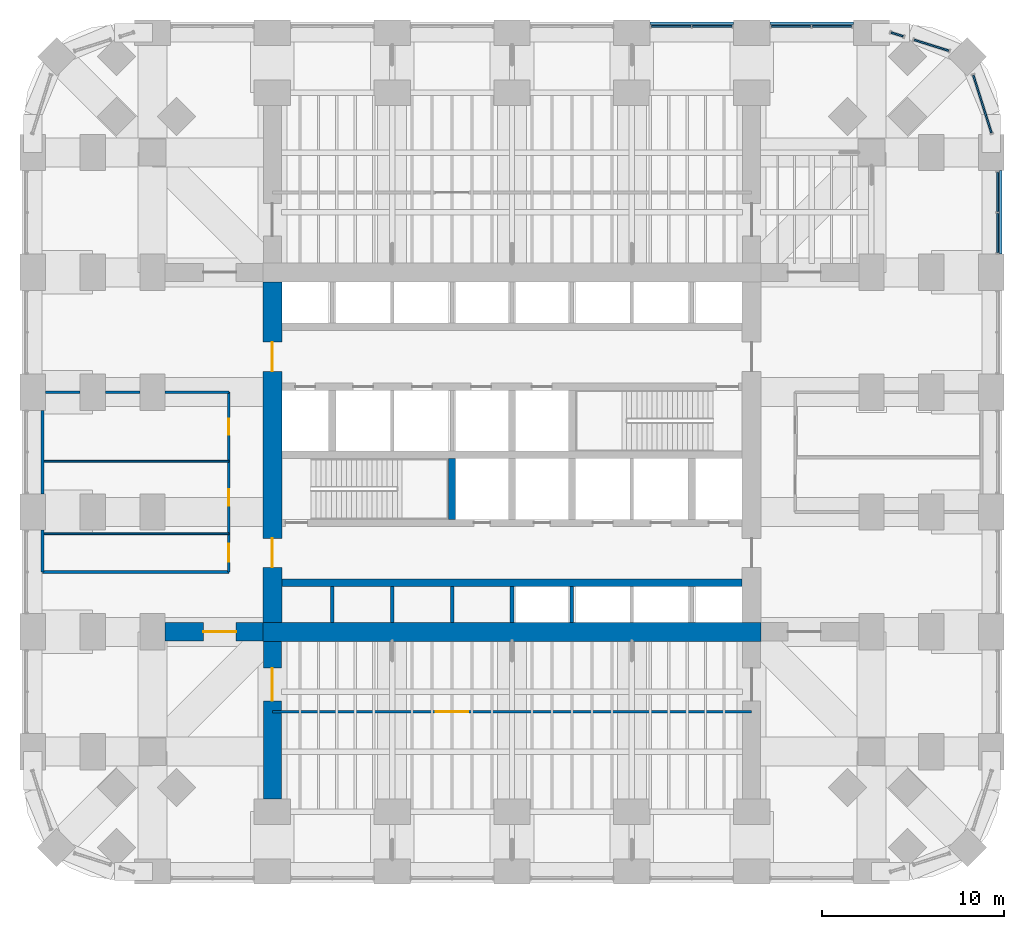
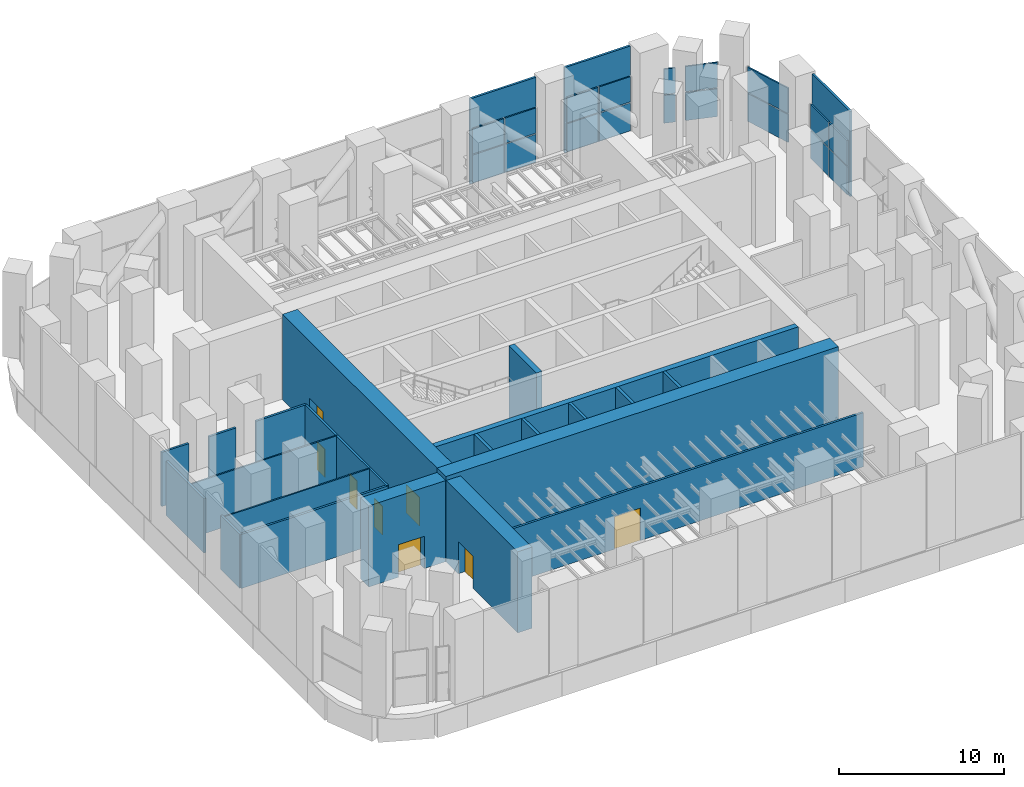
# One storey, part 13 of 17: 21 plates, 21 walls, 8 doors, 8 openings, 6 elements without a shape of their own.
"""IFC4 building model written with IfcOpenShell, lengths in metres."""

from ifc_helpers import new_model, si_unit, direction, frame, frame_2d, origin, origin_2d, place, context, subcontext, project, spatial, rectangle, extrude, material, layer, layer_set, type_object, element, fill, aggregate, save


model = new_model("IFC4")

# Units and contexts
model_context = context("Model", 3, precision=1e-05, world=origin(), true_north=direction((0.0, 1.0)))
body_context = subcontext(model_context, "Body", "Model", "MODEL_VIEW")
ifc_project = project(units=[si_unit("LENGTHUNIT", "METRE"), si_unit("AREAUNIT", "SQUARE_METRE"), si_unit("VOLUMEUNIT", "CUBIC_METRE"), si_unit("PLANEANGLEUNIT", "RADIAN"), si_unit("MASSUNIT", "GRAM", prefix="KILO")], contexts=[model_context])

# Site, building, storey
site_placement = place(None, origin())
site = spatial("IfcSite", under=ifc_project, at=site_placement, CompositionType="ELEMENT")
building_placement = place(site_placement, origin())
building = spatial("IfcBuilding", under=site, at=building_placement, Name="Cobogo Forest Laboratory Tower", CompositionType="ELEMENT")
storey_placement = place(building_placement, frame((0.0, 0.0, 75.89990234375)))
storey = spatial("IfcBuildingStorey", under=building, at=storey_placement, Name="L17", CompositionType="ELEMENT", Elevation=75.89990234375)

# Plates
ifc_material_1 = material(Name="Pierced concrete block", Category="concrete")
ifc_layer_1 = layer(ifc_material_1, 0.14990234375)
ifc_layer_set_1 = layer_set([ifc_layer_1], Name="CO2 cobogo block screen 150")
plate_type_1 = type_object("IfcPlateType", Name="CO2 cobogo block screen 150", PredefinedType="USERDEFINED", material=ifc_layer_set_1)
for number, where, z_axis, x_axis, name in (
    (1, (53.324951171875, 36.300048828125, -0.14990234375), (0.0, 0.0, 1.0), (0.0, 1.0, 0.0), "Cobogo screen E5 L17"),
    (2, (36.300048828125, 46.72509765625, -0.14990234375), (0.0, 0.0, 1.0), (1.0, 0.0, 0.0), "Cobogo screen N5 L17"),
    (3, (42.89990234375, 46.72509765625, -0.14990234375), (0.0, 0.0, 1.0), (1.0, 0.0, 0.0), "Cobogo screen N6 L17"),
):
    element("IfcPlate", number, at=place(storey_placement, frame(where, z_axis=z_axis, x_axis=x_axis)), inside=storey, type_object=plate_type_1, Name=name, ObjectType="COBOGO SCREEN", PredefinedType="USERDEFINED", context=body_context, shape_type="SweptSolid", body=[
        extrude(rectangle(XDim=4.60009765625, YDim=0.14990234375, at=origin_2d()), origin(), (0.0, 0.0, 1.0), 6.300048828125),
    ])

# Curtain wall, plates
ifc_material_2 = material(Name="Aluminium curtain wall", Category="aluminium")
curtain_wall_type = type_object("IfcCurtainWallType", Name="CW-P louvred curtain wall, plant floors", PredefinedType="USERDEFINED", material=ifc_material_2)
curtain_wall_1_placement = place(storey_placement, origin())
curtain_wall_1 = element("IfcCurtainWall", 4, at=curtain_wall_1_placement, inside=storey, type_object=curtain_wall_type, Name="Curtain wall 14 L17", ObjectType="LOUVRED CURTAIN WALL", PredefinedType="USERDEFINED")
ifc_material_3 = material(Name="Aluminium louvre", Category="aluminium")
ifc_layer_2 = layer(ifc_material_3, 0.10009765625)
ifc_layer_set_2 = layer_set([ifc_layer_2], Name="LV-1 aluminium weather louvre panel 100")
plate_type_2 = type_object("IfcPlateType", Name="LV-1 aluminium weather louvre panel 100", PredefinedType="CURTAIN_PANEL", material=ifc_layer_set_2)
plate_1_placement = place(storey_placement, frame((53.14990234375, 35.169921875, 0.0), z_axis=(0.0, 0.0, 1.0), x_axis=(0.0, 1.0, 0.0)))
plate_1 = element("IfcPlate", 5, at=plate_1_placement, type_object=plate_type_2, Name="CW-P panel 1.1", PredefinedType="CURTAIN_PANEL", context=body_context, shape_type="SweptSolid", body=[
    extrude(rectangle(XDim=2.179931640625, YDim=0.10009765625, at=origin_2d()), origin(), (0.0, 0.0, 1.0), 2.06005859375),
])
plate_2_placement = place(storey_placement, frame((53.14990234375, 35.169921875, 2.14013671875), z_axis=(0.0, 0.0, 1.0), x_axis=(0.0, 1.0, 0.0)))
plate_2 = element("IfcPlate", 6, at=plate_2_placement, type_object=plate_type_2, Name="CW-P panel 1.2", PredefinedType="CURTAIN_PANEL", context=body_context, shape_type="SweptSolid", body=[
    extrude(rectangle(XDim=2.179931640625, YDim=0.10009765625, at=origin_2d()), origin(), (0.0, 0.0, 1.0), 1.860107421875),
])
plate_3_placement = place(storey_placement, frame((53.14990234375, 37.429931640625, 0.0), z_axis=(0.0, 0.0, 1.0), x_axis=(0.0, 1.0, 0.0)))
plate_3 = element("IfcPlate", 7, at=plate_3_placement, type_object=plate_type_2, Name="CW-P panel 2.1", PredefinedType="CURTAIN_PANEL", context=body_context, shape_type="SweptSolid", body=[
    extrude(rectangle(XDim=2.179931640625, YDim=0.10009765625, at=origin_2d()), origin(), (0.0, 0.0, 1.0), 2.06005859375),
])
plate_4_placement = place(storey_placement, frame((53.14990234375, 37.429931640625, 2.14013671875), z_axis=(0.0, 0.0, 1.0), x_axis=(0.0, 1.0, 0.0)))
plate_4 = element("IfcPlate", 8, at=plate_4_placement, type_object=plate_type_2, Name="CW-P panel 2.2", PredefinedType="CURTAIN_PANEL", context=body_context, shape_type="SweptSolid", body=[
    extrude(rectangle(XDim=2.179931640625, YDim=0.10009765625, at=origin_2d()), origin(), (0.0, 0.0, 1.0), 1.860107421875),
])
aggregate(curtain_wall_1, [plate_1, plate_2, plate_3, plate_4])

curtain_wall_2_placement = place(storey_placement, origin())
curtain_wall_2 = element("IfcCurtainWall", 9, at=curtain_wall_2_placement, inside=storey, type_object=curtain_wall_type, Name="Curtain wall 15 L17", ObjectType="LOUVRED CURTAIN WALL", PredefinedType="USERDEFINED")
plate_5_placement = place(storey_placement, frame((52.307373046875, 42.26806640625, 0.0), z_axis=(0.0, 0.0, 1.0), x_axis=(-0.301135635976, 0.953581317322, 0.0)))
plate_5 = element("IfcPlate", 10, at=plate_5_placement, type_object=plate_type_2, Name="CW-P panel 1.1", PredefinedType="CURTAIN_PANEL", context=body_context, shape_type="SweptSolid", body=[
    extrude(rectangle(XDim=3.338623046875, YDim=0.10009765625, at=origin_2d()), origin(), (0.0, 0.0, 1.0), 2.06005859375),
])
plate_6_placement = place(storey_placement, frame((52.307373046875, 42.26806640625, 2.14013671875), z_axis=(0.0, 0.0, 1.0), x_axis=(-0.301135635976, 0.953581317322, 0.0)))
plate_6 = element("IfcPlate", 11, at=plate_6_placement, type_object=plate_type_2, Name="CW-P panel 1.2", PredefinedType="CURTAIN_PANEL", context=body_context, shape_type="SweptSolid", body=[
    extrude(rectangle(XDim=3.338623046875, YDim=0.10009765625, at=origin_2d()), origin(), (0.0, 0.0, 1.0), 1.860107421875),
])
aggregate(curtain_wall_2, [plate_5, plate_6])

curtain_wall_3_placement = place(storey_placement, origin())
curtain_wall_3 = element("IfcCurtainWall", 12, at=curtain_wall_3_placement, inside=storey, type_object=curtain_wall_type, Name="Curtain wall 16 L17", ObjectType="LOUVRED CURTAIN WALL", PredefinedType="USERDEFINED")
plate_7_placement = place(storey_placement, frame((49.507080078125, 45.505615234375, 0.0), z_axis=(0.0, 0.0, 1.0), x_axis=(-0.953581348836, 0.301135536184, 0.0)))
plate_7 = element("IfcPlate", 13, at=plate_7_placement, type_object=plate_type_2, Name="CW-P panel 1.1", PredefinedType="CURTAIN_PANEL", context=body_context, shape_type="SweptSolid", body=[
    extrude(rectangle(XDim=1.99853515625, YDim=0.10009765625, at=origin_2d()), origin(), (0.0, 0.0, 1.0), 2.06005859375),
])
plate_8_placement = place(storey_placement, frame((49.507080078125, 45.505615234375, 2.14013671875), z_axis=(0.0, 0.0, 1.0), x_axis=(-0.953581348836, 0.301135536184, 0.0)))
plate_8 = element("IfcPlate", 14, at=plate_8_placement, type_object=plate_type_2, Name="CW-P panel 1.2", PredefinedType="CURTAIN_PANEL", context=body_context, shape_type="SweptSolid", body=[
    extrude(rectangle(XDim=1.99853515625, YDim=0.10009765625, at=origin_2d()), origin(), (0.0, 0.0, 1.0), 1.860107421875),
])
aggregate(curtain_wall_3, [plate_7, plate_8])

curtain_wall_4_placement = place(storey_placement, origin())
curtain_wall_4 = element("IfcCurtainWall", 15, at=curtain_wall_4_placement, inside=storey, type_object=curtain_wall_type, Name="Curtain wall 17 L17", ObjectType="LOUVRED CURTAIN WALL", PredefinedType="USERDEFINED")
plate_9_placement = place(storey_placement, frame((47.614013671875, 46.103515625, 0.0), z_axis=(0.0, 0.0, 1.0), x_axis=(-0.953581151143, 0.301136162199, 0.0)))
plate_9 = element("IfcPlate", 16, at=plate_9_placement, type_object=plate_type_2, Name="CW-P panel 1.1", PredefinedType="CURTAIN_PANEL", context=body_context, shape_type="SweptSolid", body=[
    extrude(rectangle(XDim=0.70849609375, YDim=0.10009765625, at=origin_2d()), origin(), (0.0, 0.0, 1.0), 2.06005859375),
])
plate_10_placement = place(storey_placement, frame((47.614013671875, 46.103515625, 2.14013671875), z_axis=(0.0, 0.0, 1.0), x_axis=(-0.953581151143, 0.301136162199, 0.0)))
plate_10 = element("IfcPlate", 17, at=plate_10_placement, type_object=plate_type_2, Name="CW-P panel 1.2", PredefinedType="CURTAIN_PANEL", context=body_context, shape_type="SweptSolid", body=[
    extrude(rectangle(XDim=0.70849609375, YDim=0.10009765625, at=origin_2d()), origin(), (0.0, 0.0, 1.0), 1.860107421875),
])
aggregate(curtain_wall_4, [plate_9, plate_10])

curtain_wall_5_placement = place(storey_placement, origin())
curtain_wall_5 = element("IfcCurtainWall", 18, at=curtain_wall_5_placement, inside=storey, type_object=curtain_wall_type, Name="Curtain wall 18 L17", ObjectType="LOUVRED CURTAIN WALL", PredefinedType="USERDEFINED")
plate_11_placement = place(storey_placement, frame((44.030029296875, 46.550048828125, 0.0), z_axis=(0.0, 0.0, 1.0), x_axis=(-1.0, 0.0, 0.0)))
plate_11 = element("IfcPlate", 19, at=plate_11_placement, type_object=plate_type_2, Name="CW-P panel 1.1", PredefinedType="CURTAIN_PANEL", context=body_context, shape_type="SweptSolid", body=[
    extrude(rectangle(XDim=2.179931640625, YDim=0.10009765625, at=origin_2d()), origin(), (0.0, 0.0, 1.0), 2.06005859375),
])
plate_12_placement = place(storey_placement, frame((44.030029296875, 46.550048828125, 2.14013671875), z_axis=(0.0, 0.0, 1.0), x_axis=(-1.0, 0.0, 0.0)))
plate_12 = element("IfcPlate", 20, at=plate_12_placement, type_object=plate_type_2, Name="CW-P panel 1.2", PredefinedType="CURTAIN_PANEL", context=body_context, shape_type="SweptSolid", body=[
    extrude(rectangle(XDim=2.179931640625, YDim=0.10009765625, at=origin_2d()), origin(), (0.0, 0.0, 1.0), 1.860107421875),
])
plate_13_placement = place(storey_placement, frame((41.77001953125, 46.550048828125, 0.0), z_axis=(0.0, 0.0, 1.0), x_axis=(-1.0, 0.0, 0.0)))
plate_13 = element("IfcPlate", 21, at=plate_13_placement, type_object=plate_type_2, Name="CW-P panel 2.1", PredefinedType="CURTAIN_PANEL", context=body_context, shape_type="SweptSolid", body=[
    extrude(rectangle(XDim=2.179931640625, YDim=0.10009765625, at=origin_2d()), origin(), (0.0, 0.0, 1.0), 2.06005859375),
])
plate_14_placement = place(storey_placement, frame((41.77001953125, 46.550048828125, 2.14013671875), z_axis=(0.0, 0.0, 1.0), x_axis=(-1.0, 0.0, 0.0)))
plate_14 = element("IfcPlate", 22, at=plate_14_placement, type_object=plate_type_2, Name="CW-P panel 2.2", PredefinedType="CURTAIN_PANEL", context=body_context, shape_type="SweptSolid", body=[
    extrude(rectangle(XDim=2.179931640625, YDim=0.10009765625, at=origin_2d()), origin(), (0.0, 0.0, 1.0), 1.860107421875),
])
aggregate(curtain_wall_5, [plate_11, plate_12, plate_13, plate_14])

curtain_wall_6_placement = place(storey_placement, origin())
curtain_wall_6 = element("IfcCurtainWall", 23, at=curtain_wall_6_placement, inside=storey, type_object=curtain_wall_type, Name="Curtain wall 19 L17", ObjectType="LOUVRED CURTAIN WALL", PredefinedType="USERDEFINED")
plate_15_placement = place(storey_placement, frame((37.429931640625, 46.550048828125, 0.0), z_axis=(0.0, 0.0, 1.0), x_axis=(-1.0, 0.0, 0.0)))
plate_15 = element("IfcPlate", 24, at=plate_15_placement, type_object=plate_type_2, Name="CW-P panel 1.1", PredefinedType="CURTAIN_PANEL", context=body_context, shape_type="SweptSolid", body=[
    extrude(rectangle(XDim=2.179931640625, YDim=0.10009765625, at=origin_2d()), origin(), (0.0, 0.0, 1.0), 2.06005859375),
])
plate_16_placement = place(storey_placement, frame((37.429931640625, 46.550048828125, 2.14013671875), z_axis=(0.0, 0.0, 1.0), x_axis=(-1.0, 0.0, 0.0)))
plate_16 = element("IfcPlate", 25, at=plate_16_placement, type_object=plate_type_2, Name="CW-P panel 1.2", PredefinedType="CURTAIN_PANEL", context=body_context, shape_type="SweptSolid", body=[
    extrude(rectangle(XDim=2.179931640625, YDim=0.10009765625, at=origin_2d()), origin(), (0.0, 0.0, 1.0), 1.860107421875),
])
plate_17_placement = place(storey_placement, frame((35.169921875, 46.550048828125, 0.0), z_axis=(0.0, 0.0, 1.0), x_axis=(-1.0, 0.0, 0.0)))
plate_17 = element("IfcPlate", 26, at=plate_17_placement, type_object=plate_type_2, Name="CW-P panel 2.1", PredefinedType="CURTAIN_PANEL", context=body_context, shape_type="SweptSolid", body=[
    extrude(rectangle(XDim=2.179931640625, YDim=0.10009765625, at=origin_2d()), origin(), (0.0, 0.0, 1.0), 2.06005859375),
])
plate_18_placement = place(storey_placement, frame((35.169921875, 46.550048828125, 2.14013671875), z_axis=(0.0, 0.0, 1.0), x_axis=(-1.0, 0.0, 0.0)))
plate_18 = element("IfcPlate", 27, at=plate_18_placement, type_object=plate_type_2, Name="CW-P panel 2.2", PredefinedType="CURTAIN_PANEL", context=body_context, shape_type="SweptSolid", body=[
    extrude(rectangle(XDim=2.179931640625, YDim=0.10009765625, at=origin_2d()), origin(), (0.0, 0.0, 1.0), 1.860107421875),
])
aggregate(curtain_wall_6, [plate_15, plate_16, plate_17, plate_18])

# Walls
ifc_material_4 = material(Name="Concrete HA-50 (C50/60)", Category="concrete")
ifc_layer_3 = layer(ifc_material_4, 0.39990234375)
ifc_layer_set_3 = layer_set([ifc_layer_3], Name="CI400 core inner wall 400")
wall_type_1 = type_object("IfcWallType", Name="CI400 core inner wall 400", PredefinedType="SHEAR", material=ifc_layer_set_3)
wall_1_placement = place(storey_placement, frame((13.72509765625, 15.89990234375, 0.0), z_axis=(0.0, 0.0, 1.0), x_axis=(1.0, 0.0, 0.0)))
element("IfcWall", 28, at=wall_1_placement, inside=storey, type_object=wall_type_1, Name="Core wall CI-15.9 L17", PredefinedType="SHEAR", context=body_context, shape_type="SweptSolid", body=[
    extrude(rectangle(XDim=25.349853515625, YDim=0.39990234375, at=frame_2d((12.6748046875, 0.0))), origin(), (0.0, 0.0, 1.0), 6.300048828125),
])
wall_2_placement = place(storey_placement, frame((23.10009765625, 19.39990234375, 0.0), z_axis=(0.0, 0.0, 1.0), x_axis=(0.0, 1.0, 0.0)))
element("IfcWall", 29, at=wall_2_placement, inside=storey, type_object=wall_type_1, Name="Core wall CX-23.1 L17", PredefinedType="SHEAR", context=body_context, shape_type="SweptSolid", body=[
    extrude(rectangle(XDim=3.35009765625, YDim=0.39990234375, at=frame_2d((1.675048828125, 0.0))), origin(), (0.0, 0.0, 1.0), 6.300048828125),
])
ifc_layer_4 = layer(ifc_material_4, 1.050048828125)
ifc_layer_set_4 = layer_set([ifc_layer_4], Name="CW1050 core outer wall 1050")
wall_type_2 = type_object("IfcWallType", Name="CW1050 core outer wall 1050", PredefinedType="SHEAR", material=ifc_layer_set_4)
wall_3_placement = place(storey_placement, frame((12.675048828125, 13.199951171875, 0.0), z_axis=(0.0, 0.0, 1.0), x_axis=(1.0, 0.0, 0.0)))
element("IfcWall", 30, at=wall_3_placement, inside=storey, type_object=wall_type_2, Name="Core wall CO-S L17", PredefinedType="SHEAR", context=body_context, shape_type="SweptSolid", body=[
    extrude(rectangle(XDim=27.449951171875, YDim=1.050048828125, at=frame_2d((13.72509765625, 0.0))), origin(), (0.0, 0.0, 1.0), 6.300048828125),
])

# Wall, openings, doors
wall_4_placement = place(storey_placement, frame((13.199951171875, 32.47509765625, 0.0), z_axis=(0.0, 0.0, 1.0), x_axis=(0.0, -1.0, 0.0)))
wall_4 = element("IfcWall", 31, at=wall_4_placement, inside=storey, type_object=wall_type_2, Name="Core wall CO-W L17", PredefinedType="SHEAR", context=body_context, shape_type="SweptSolid", body=[
    extrude(rectangle(XDim=18.75, YDim=1.050048828125, at=frame_2d((9.375, 0.0))), origin(), (0.0, 0.0, 1.0), 6.300048828125),
])
opening_1_placement = place(wall_4_placement, frame((14.125, 0.0, 0.0)))
opening_1 = element("IfcOpeningElement", 32, at=opening_1_placement, cuts=wall_4, Name="Opening L17-D07", PredefinedType="OPENING", context=body_context, shape_type="SweptSolid", body=[
    extrude(rectangle(XDim=1.60009765625, YDim=2.10009765625, at=frame_2d((0.800048828125, 1.050048828125))), frame((0.0, 0.534912109375, 0.0), z_axis=(0.0, -1.0, 0.0), x_axis=(1.0, 0.0, 0.0)), (0.0, 0.0, 1.0), 1.070068359375),
])
opening_2_placement = place(wall_4_placement, frame((3.324951171875, 0.0, 0.0)))
opening_2 = element("IfcOpeningElement", 33, at=opening_2_placement, cuts=wall_4, Name="Opening L17-D17", PredefinedType="OPENING", context=body_context, shape_type="SweptSolid", body=[
    extrude(rectangle(XDim=1.60009765625, YDim=2.10009765625, at=frame_2d((0.800048828125, 1.050048828125))), frame((0.0, 0.534912109375, 0.0), z_axis=(0.0, -1.0, 0.0), x_axis=(1.0, 0.0, 0.0)), (0.0, 0.0, 1.0), 1.070068359375),
])
ifc_material_5 = material(Name="Steel fire door", Category="steel")
door_type_1 = type_object("IfcDoorType", Name="DS2 protected lobby door pair 1600 EI2 60", OperationType="DOUBLE_DOOR_DOUBLE_SWING", PredefinedType="DOOR", material=ifc_material_5)
door_1_placement = place(opening_1_placement, origin())
door_1 = element("IfcDoor", 34, at=door_1_placement, inside=storey, type_object=door_type_1, Name="Door L17-CO-W-S", OperationType="DOUBLE_DOOR_DOUBLE_SWING", OverallHeight=2.10009765625, OverallWidth=1.60009765625, PredefinedType="DOOR", context=body_context, shape_type="SweptSolid", body=[
    extrude(rectangle(XDim=1.60009765625, YDim=2.10009765625, at=frame_2d((0.800048828125, 1.050048828125))), frame((0.0, 0.02490234375, 0.0), z_axis=(0.0, -1.0, 0.0), x_axis=(1.0, 0.0, 0.0)), (0.0, 0.0, 1.0), 0.050048828125),
])
fill(opening_1, door_1)
door_2_placement = place(opening_2_placement, origin())
door_2 = element("IfcDoor", 35, at=door_2_placement, inside=storey, type_object=door_type_1, Name="Door L17-CO-W-N", OperationType="DOUBLE_DOOR_DOUBLE_SWING", OverallHeight=2.10009765625, OverallWidth=1.60009765625, PredefinedType="DOOR", context=body_context, shape_type="SweptSolid", body=[
    extrude(rectangle(XDim=1.60009765625, YDim=2.10009765625, at=frame_2d((0.800048828125, 1.050048828125))), frame((0.0, 0.02490234375, 0.0), z_axis=(0.0, -1.0, 0.0), x_axis=(1.0, 0.0, 0.0)), (0.0, 0.0, 1.0), 0.050048828125),
])
fill(opening_2, door_2)

# Wall, opening, door
ifc_layer_5 = layer(ifc_material_4, 1.0)
ifc_layer_set_5 = layer_set([ifc_layer_5], Name="Outrigger wall 1000")
wall_type_3 = type_object("IfcWallType", Name="Outrigger wall 1000", PredefinedType="SHEAR", material=ifc_layer_set_5)
wall_5_placement = place(storey_placement, frame((13.199951171875, 12.675048828125, 0.0), z_axis=(0.0, 0.0, 1.0), x_axis=(0.0, -1.0, 0.0)))
wall_5 = element("IfcWall", 36, at=wall_5_placement, inside=storey, type_object=wall_type_3, Name="Outrigger wall OR-S3 L17", PredefinedType="SHEAR", context=body_context, shape_type="SweptSolid", body=[
    extrude(rectangle(XDim=8.675048828125, YDim=1.0, at=frame_2d((4.33740234375, 0.0))), origin(), (0.0, 0.0, 1.0), 6.0),
])
opening_3_placement = place(wall_5_placement, frame((1.47509765625, 0.0, 0.0)))
opening_3 = element("IfcOpeningElement", 37, at=opening_3_placement, cuts=wall_5, Name="Opening L17-D02", PredefinedType="OPENING", context=body_context, shape_type="SweptSolid", body=[
    extrude(rectangle(XDim=1.800048828125, YDim=2.39990234375, at=frame_2d((0.89990234375, 1.199951171875))), frame((0.0, 0.510009765625, 0.0), z_axis=(0.0, -1.0, 0.0), x_axis=(1.0, 0.0, 0.0)), (0.0, 0.0, 1.0), 1.02001953125),
])
door_type_2 = type_object("IfcDoorType", Name="PD1 plant door pair 1800 EI2 60", OperationType="DOUBLE_DOOR_SINGLE_SWING", PredefinedType="DOOR", material=ifc_material_5)
door_3_placement = place(opening_3_placement, origin())
door_3 = element("IfcDoor", 38, at=door_3_placement, inside=storey, type_object=door_type_2, Name="Door L17-OR-S3", OperationType="DOUBLE_DOOR_SINGLE_SWING", OverallHeight=2.39990234375, OverallWidth=1.800048828125, PredefinedType="DOOR", context=body_context, shape_type="SweptSolid", body=[
    extrude(rectangle(XDim=1.800048828125, YDim=2.39990234375, at=frame_2d((0.89990234375, 1.199951171875))), frame((0.0, 0.02490234375, 0.0), z_axis=(0.0, -1.0, 0.0), x_axis=(1.0, 0.0, 0.0)), (0.0, 0.0, 1.0), 0.050048828125),
])
fill(opening_3, door_3)

wall_6_placement = place(storey_placement, frame((12.675048828125, 13.199951171875, 0.0), z_axis=(0.0, 0.0, 1.0), x_axis=(-1.0, 0.0, 0.0)))
wall_6 = element("IfcWall", 39, at=wall_6_placement, inside=storey, type_object=wall_type_3, Name="Outrigger wall OR-WC L17", PredefinedType="SHEAR", context=body_context, shape_type="SweptSolid", body=[
    extrude(rectangle(XDim=5.375, YDim=1.0, at=frame_2d((2.6875, 0.0))), origin(), (0.0, 0.0, 1.0), 6.0),
])
opening_4_placement = place(wall_6_placement, frame((1.47509765625, 0.0, 0.0)))
opening_4 = element("IfcOpeningElement", 40, at=opening_4_placement, cuts=wall_6, Name="Opening L17-D04", PredefinedType="OPENING", context=body_context, shape_type="SweptSolid", body=[
    extrude(rectangle(XDim=1.800048828125, YDim=2.39990234375, at=frame_2d((0.89990234375, 1.199951171875))), frame((0.0, 0.510009765625, 0.0), z_axis=(0.0, -1.0, 0.0), x_axis=(1.0, 0.0, 0.0)), (0.0, 0.0, 1.0), 1.02001953125),
])
door_4_placement = place(opening_4_placement, origin())
door_4 = element("IfcDoor", 41, at=door_4_placement, inside=storey, type_object=door_type_2, Name="Door L17-OR-WC", OperationType="DOUBLE_DOOR_SINGLE_SWING", OverallHeight=2.39990234375, OverallWidth=1.800048828125, PredefinedType="DOOR", context=body_context, shape_type="SweptSolid", body=[
    extrude(rectangle(XDim=1.800048828125, YDim=2.39990234375, at=frame_2d((0.89990234375, 1.199951171875))), frame((0.0, 0.02490234375, 0.0), z_axis=(0.0, -1.0, 0.0), x_axis=(1.0, 0.0, 0.0)), (0.0, 0.0, 1.0), 0.050048828125),
])
fill(opening_4, door_4)

ifc_material_6 = material(Name="Gypsum board on steel studs", Category="steel")
ifc_layer_6 = layer(ifc_material_6, 0.14990234375)
ifc_layer_set_6 = layer_set([ifc_layer_6], Name="PT1 laboratory partition 150")
wall_type_4 = type_object("IfcWallType", Name="PT1 laboratory partition 150", PredefinedType="PARTITIONING", material=ifc_layer_set_6)
wall_7_placement = place(storey_placement, frame((13.199951171875, 8.800048828125, 0.0), z_axis=(0.0, 0.0, 1.0), x_axis=(1.0, 0.0, 0.0)))
wall_7 = element("IfcWall", 42, at=wall_7_placement, inside=storey, type_object=wall_type_4, Name="Partition PL-S L17", PredefinedType="PARTITIONING", context=body_context, shape_type="SweptSolid", body=[
    extrude(rectangle(XDim=26.400146484375, YDim=0.14990234375, at=frame_2d((13.2001953125, 0.0))), origin(), (0.0, 0.0, 1.0), 4.0),
])
opening_5_placement = place(wall_7_placement, frame((9.0, 0.0, 0.0)))
opening_5 = element("IfcOpeningElement", 43, at=opening_5_placement, cuts=wall_7, Name="Opening L17-D01", PredefinedType="OPENING", context=body_context, shape_type="SweptSolid", body=[
    extrude(rectangle(XDim=1.800048828125, YDim=2.39990234375, at=frame_2d((0.89990234375, 1.199951171875))), frame((0.0, 0.0849609375, 0.0), z_axis=(0.0, -1.0, 0.0), x_axis=(1.0, 0.0, 0.0)), (0.0, 0.0, 1.0), 0.169921875),
])
door_5_placement = place(opening_5_placement, origin())
door_5 = element("IfcDoor", 44, at=door_5_placement, inside=storey, type_object=door_type_2, Name="Door L17-SI", OperationType="DOUBLE_DOOR_SINGLE_SWING", OverallHeight=2.39990234375, OverallWidth=1.800048828125, PredefinedType="DOOR", context=body_context, shape_type="SweptSolid", body=[
    extrude(rectangle(XDim=1.800048828125, YDim=2.39990234375, at=frame_2d((0.89990234375, 1.199951171875))), frame((0.0, 0.02490234375, 0.0), z_axis=(0.0, -1.0, 0.0), x_axis=(1.0, 0.0, 0.0)), (0.0, 0.0, 1.0), 0.050048828125),
])
fill(opening_5, door_5)

# Walls
wall_8_placement = place(storey_placement, frame((10.800048828125, 16.5, 0.0), z_axis=(0.0, 0.0, 1.0), x_axis=(-1.0, 0.0, 0.0)))
element("IfcWall", 45, at=wall_8_placement, inside=storey, type_object=wall_type_4, Name="Partition POD-WCA-S-1 L17", PredefinedType="PARTITIONING", context=body_context, shape_type="SweptSolid", body=[
    extrude(rectangle(XDim=10.26513671875, YDim=0.14990234375, at=frame_2d((5.132568359375, 0.0))), origin(), (0.0, 0.0, 1.0), 4.0),
])
wall_9_placement = place(storey_placement, frame((0.699951171875, 26.39990234375, 0.0), z_axis=(0.0, 0.0, 1.0), x_axis=(1.0, 0.0, 0.0)))
element("IfcWall", 46, at=wall_9_placement, inside=storey, type_object=wall_type_4, Name="Partition POD-WCA-N-1 L17", PredefinedType="PARTITIONING", context=body_context, shape_type="SweptSolid", body=[
    extrude(rectangle(XDim=1.900146484375, YDim=0.14990234375, at=frame_2d((0.9501953125, 0.0))), origin(), (0.0, 0.0, 1.0), 4.0),
])
wall_10_placement = place(storey_placement, frame((4.0, 26.39990234375, 0.0), z_axis=(0.0, 0.0, 1.0), x_axis=(1.0, 0.0, 0.0)))
element("IfcWall", 47, at=wall_10_placement, inside=storey, type_object=wall_type_4, Name="Partition POD-WCA-N-2 L17", PredefinedType="PARTITIONING", context=body_context, shape_type="SweptSolid", body=[
    extrude(rectangle(XDim=1.89990234375, YDim=0.14990234375, at=frame_2d((0.949951171875, 0.0))), origin(), (0.0, 0.0, 1.0), 4.0),
])
wall_11_placement = place(storey_placement, frame((7.300048828125, 26.39990234375, 0.0), z_axis=(0.0, 0.0, 1.0), x_axis=(1.0, 0.0, 0.0)))
element("IfcWall", 48, at=wall_11_placement, inside=storey, type_object=wall_type_4, Name="Partition POD-WCA-N-3 L17", PredefinedType="PARTITIONING", context=body_context, shape_type="SweptSolid", body=[
    extrude(rectangle(XDim=3.5, YDim=0.14990234375, at=frame_2d((1.75, 0.0))), origin(), (0.0, 0.0, 1.0), 4.0),
])
wall_12_placement = place(storey_placement, frame((0.534912109375, 16.5, 0.0), z_axis=(0.0, 0.0, 1.0), x_axis=(0.0, 1.0, 0.0)))
element("IfcWall", 49, at=wall_12_placement, inside=storey, type_object=wall_type_4, Name="Partition POD-WCA-W-1 L17", PredefinedType="PARTITIONING", context=body_context, shape_type="SweptSolid", body=[
    extrude(rectangle(XDim=2.300048828125, YDim=0.14990234375, at=frame_2d((1.14990234375, 0.0))), origin(), (0.0, 0.0, 1.0), 4.0),
])
wall_13_placement = place(storey_placement, frame((0.534912109375, 20.800048828125, 0.0), z_axis=(0.0, 0.0, 1.0), x_axis=(0.0, 1.0, 0.0)))
element("IfcWall", 50, at=wall_13_placement, inside=storey, type_object=wall_type_4, Name="Partition POD-WCA-W-2 L17", PredefinedType="PARTITIONING", context=body_context, shape_type="SweptSolid", body=[
    extrude(rectangle(XDim=4.599853515625, YDim=0.14990234375, at=frame_2d((2.2998046875, 0.0))), origin(), (0.0, 0.0, 1.0), 4.0),
])

# Wall, openings, doors
wall_14_placement = place(storey_placement, frame((10.800048828125, 26.39990234375, 0.0), z_axis=(0.0, 0.0, 1.0), x_axis=(0.0, -1.0, 0.0)))
wall_14 = element("IfcWall", 51, at=wall_14_placement, inside=storey, type_object=wall_type_4, Name="Partition POD-WCA-E-1 L17", PredefinedType="PARTITIONING", context=body_context, shape_type="SweptSolid", body=[
    extrude(rectangle(XDim=9.89990234375, YDim=0.14990234375, at=frame_2d((4.949951171875, 0.0))), origin(), (0.0, 0.0, 1.0), 4.0),
])
opening_6_placement = place(wall_14_placement, frame((8.35009765625, 0.0, 0.0)))
opening_6 = element("IfcOpeningElement", 52, at=opening_6_placement, cuts=wall_14, Name="Opening L17-D06", PredefinedType="OPENING", context=body_context, shape_type="SweptSolid", body=[
    extrude(rectangle(XDim=1.0, YDim=2.10009765625, at=frame_2d((0.5, 1.050048828125))), frame((0.0, 0.0849609375, 0.0), z_axis=(0.0, -1.0, 0.0), x_axis=(1.0, 0.0, 0.0)), (0.0, 0.0, 1.0), 0.169921875),
])
opening_7_placement = place(wall_14_placement, frame((5.35009765625, 0.0, 0.0)))
opening_7 = element("IfcOpeningElement", 53, at=opening_7_placement, cuts=wall_14, Name="Opening L17-D12", PredefinedType="OPENING", context=body_context, shape_type="SweptSolid", body=[
    extrude(rectangle(XDim=0.89990234375, YDim=2.10009765625, at=frame_2d((0.449951171875, 1.050048828125))), frame((0.0, 0.0849609375, 0.0), z_axis=(0.0, -1.0, 0.0), x_axis=(1.0, 0.0, 0.0)), (0.0, 0.0, 1.0), 0.169921875),
])
opening_8_placement = place(wall_14_placement, frame((1.449951171875, 0.0, 0.0)))
opening_8 = element("IfcOpeningElement", 54, at=opening_8_placement, cuts=wall_14, Name="Opening L17-D14", PredefinedType="OPENING", context=body_context, shape_type="SweptSolid", body=[
    extrude(rectangle(XDim=0.89990234375, YDim=2.10009765625, at=frame_2d((0.449951171875, 1.050048828125))), frame((0.0, 0.0849609375, 0.0), z_axis=(0.0, -1.0, 0.0), x_axis=(1.0, 0.0, 0.0)), (0.0, 0.0, 1.0), 0.169921875),
])
ifc_material_7 = material(Name="Timber fire door", Category="wood")
door_type_3 = type_object("IfcDoorType", Name="FD3 toilet fire door 900 EI2 30", OperationType="SINGLE_SWING_LEFT", PredefinedType="DOOR", material=ifc_material_7)
door_6_placement = place(opening_7_placement, origin())
door_6 = element("IfcDoor", 55, at=door_6_placement, inside=storey, type_object=door_type_3, Name="Door L17-WCF", OperationType="SINGLE_SWING_RIGHT", OverallHeight=2.10009765625, OverallWidth=0.89990234375, PredefinedType="DOOR", context=body_context, shape_type="SweptSolid", body=[
    extrude(rectangle(XDim=0.89990234375, YDim=2.10009765625, at=frame_2d((0.449951171875, 1.050048828125))), frame((0.0, 0.02490234375, 0.0), z_axis=(0.0, -1.0, 0.0), x_axis=(1.0, 0.0, 0.0)), (0.0, 0.0, 1.0), 0.050048828125),
])
fill(opening_7, door_6)
door_7_placement = place(opening_8_placement, origin())
door_7 = element("IfcDoor", 56, at=door_7_placement, inside=storey, type_object=door_type_3, Name="Door L17-WCM", OperationType="SINGLE_SWING_LEFT", OverallHeight=2.10009765625, OverallWidth=0.89990234375, PredefinedType="DOOR", context=body_context, shape_type="SweptSolid", body=[
    extrude(rectangle(XDim=0.89990234375, YDim=2.10009765625, at=frame_2d((0.449951171875, 1.050048828125))), frame((0.0, 0.02490234375, 0.0), z_axis=(0.0, -1.0, 0.0), x_axis=(1.0, 0.0, 0.0)), (0.0, 0.0, 1.0), 0.050048828125),
])
fill(opening_8, door_7)
door_type_4 = type_object("IfcDoorType", Name="FDA1 accessible toilet fire door 1000 EI2 30", OperationType="SINGLE_SWING_RIGHT", PredefinedType="DOOR", material=ifc_material_7)
door_8_placement = place(opening_6_placement, origin())
door_8 = element("IfcDoor", 57, at=door_8_placement, inside=storey, type_object=door_type_4, Name="Door L17-WCA", OperationType="SINGLE_SWING_RIGHT", OverallHeight=2.10009765625, OverallWidth=1.0, PredefinedType="DOOR", context=body_context, shape_type="SweptSolid", body=[
    extrude(rectangle(XDim=1.0, YDim=2.10009765625, at=frame_2d((0.5, 1.050048828125))), frame((0.0, 0.02490234375, 0.0), z_axis=(0.0, -1.0, 0.0), x_axis=(1.0, 0.0, 0.0)), (0.0, 0.0, 1.0), 0.050048828125),
])
fill(opening_6, door_8)

# Walls
ifc_layer_7 = layer(ifc_material_6, 0.10009765625)
ifc_layer_set_7 = layer_set([ifc_layer_7], Name="PT3 toilet partition 100")
wall_type_5 = type_object("IfcWallType", Name="PT3 toilet partition 100", PredefinedType="PARTITIONING", material=ifc_layer_set_7)
for number, where, z_axis, x_axis, name in (
    (58, (0.534912109375, 18.60009765625, 0.0), (0.0, 0.0, 1.0), (1.0, 0.0, 0.0), "Partition POD-WCA-1-1 L17"),
    (59, (0.534912109375, 22.60009765625, 0.0), (0.0, 0.0, 1.0), (1.0, 0.0, 0.0), "Partition POD-WCA-2-1 L17"),
):
    element("IfcWall", number, at=place(storey_placement, frame(where, z_axis=z_axis, x_axis=x_axis)), inside=storey, type_object=wall_type_5, Name=name, PredefinedType="PARTITIONING", context=body_context, shape_type="SweptSolid", body=[
        extrude(rectangle(XDim=10.26513671875, YDim=0.10009765625, at=frame_2d((5.132568359375, 0.0))), origin(), (0.0, 0.0, 1.0), 4.0),
    ])
ifc_material_8 = material(Name="Concrete block", Category="concrete")
ifc_layer_8 = layer(ifc_material_8, 0.199951171875)
ifc_layer_set_8 = layer_set([ifc_layer_8], Name="SW200 lift shaft separator 200")
wall_type_6 = type_object("IfcWallType", Name="SW200 lift shaft separator 200", PredefinedType="PARTITIONING", material=ifc_layer_set_8)
for number, where, z_axis, x_axis, name in (
    (60, (16.5, 13.72509765625, 0.0), (0.0, 0.0, 1.0), (0.0, 1.0, 0.0), "Core wall SEP-S1 L17"),
    (61, (19.800048828125, 13.72509765625, 0.0), (0.0, 0.0, 1.0), (0.0, 1.0, 0.0), "Core wall SEP-S2 L17"),
    (62, (23.10009765625, 13.72509765625, 0.0), (0.0, 0.0, 1.0), (0.0, 1.0, 0.0), "Core wall SEP-S3 L17"),
    (63, (26.39990234375, 13.72509765625, 0.0), (0.0, 0.0, 1.0), (0.0, 1.0, 0.0), "Core wall SEP-S4 L17"),
    (64, (29.699951171875, 13.72509765625, 0.0), (0.0, 0.0, 1.0), (0.0, 1.0, 0.0), "Core wall SEP-S5 L17"),
):
    element("IfcWall", number, at=place(storey_placement, frame(where, z_axis=z_axis, x_axis=x_axis)), inside=storey, type_object=wall_type_6, Name=name, PredefinedType="PARTITIONING", context=body_context, shape_type="SweptSolid", body=[
        extrude(rectangle(XDim=1.974853515625, YDim=0.199951171875, at=frame_2d((0.9873046875, 0.0))), origin(), (0.0, 0.0, 1.0), 6.300048828125),
    ])

save(model, "model.ifc")
